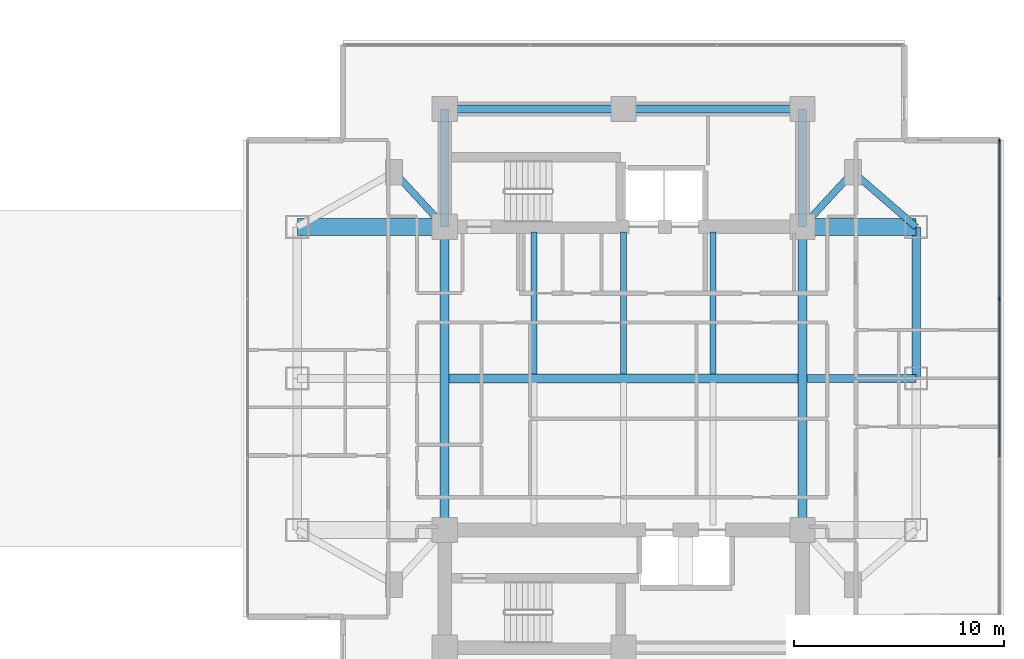
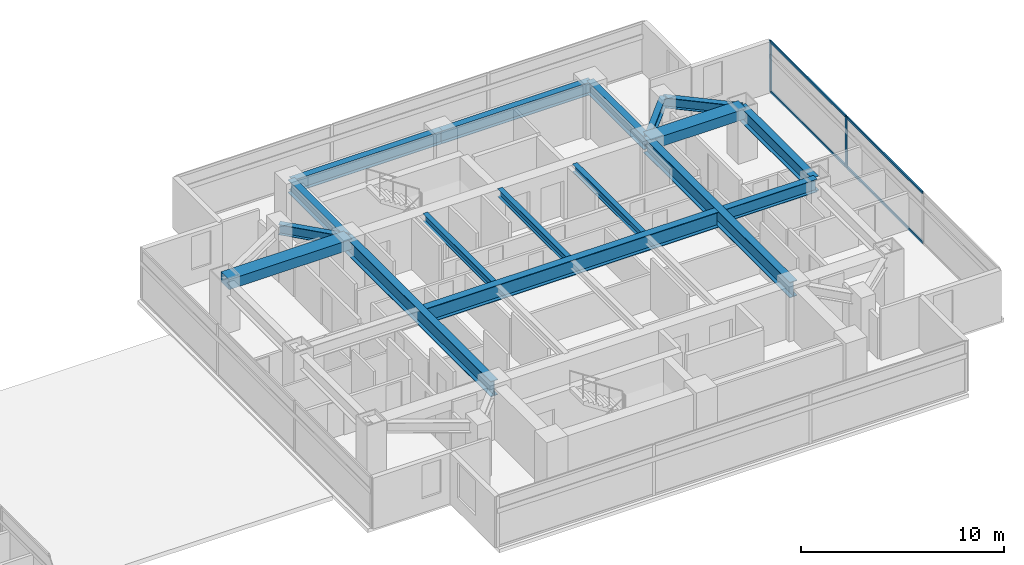
# One storey, part 10 of 26: 17 beams, 6 members, 1 element without a shape of its own.
"""IFC4 building model written with IfcOpenShell, lengths in metres."""

from ifc_helpers import new_model, si_unit, direction, frame, origin, origin_2d, place, context, subcontext, project, spatial, rectangle, i_section, extrude, material, material_profile, profile_set, type_object, element, aggregate, save


model = new_model("IFC4")

# Units and contexts
model_context = context("Model", 3, precision=1e-05, world=origin(), true_north=direction((0.0, 1.0)))
body_context = subcontext(model_context, "Body", "Model", "MODEL_VIEW")
ifc_project = project(units=[si_unit("LENGTHUNIT", "METRE"), si_unit("AREAUNIT", "SQUARE_METRE"), si_unit("VOLUMEUNIT", "CUBIC_METRE"), si_unit("PLANEANGLEUNIT", "RADIAN"), si_unit("MASSUNIT", "GRAM", prefix="KILO")], contexts=[model_context])

# Site, building, storey
site_placement = place(None, origin())
site = spatial("IfcSite", under=ifc_project, at=site_placement, CompositionType="ELEMENT")
building_placement = place(site_placement, origin())
building = spatial("IfcBuilding", under=site, at=building_placement, Name="Mirazonda Arch Towers", CompositionType="ELEMENT")
storey_placement = place(building_placement, frame((0.0, 0.0, 98.300048828125)))
storey = spatial("IfcBuildingStorey", under=building, at=storey_placement, Name="L27", CompositionType="ELEMENT", Elevation=98.300048828125)

# Beams
ifc_material_1 = material(Name="Steel ASTM A992 Grade 50", Category="steel")
ifc_material_profile_1 = material_profile(ifc_material_1, i_section(OverallWidth=0.39990234375, OverallDepth=0.85595703125, WebThickness=0.018310546875, FlangeThickness=0.029296875, at=origin_2d()), Name="W33X201")
ifc_profile_set_1 = profile_set([ifc_material_profile_1], Name="Steel ASTM A992 Grade 50")
beam_type_1 = type_object("IfcBeamType", Name="BM-EXT-W33X201", PredefinedType="USERDEFINED", material=ifc_profile_set_1)
beam_1_placement = place(storey_placement, frame((90.39990234375, 28.0, 2.65185546875), z_axis=(0.0, 1.0, 0.0), x_axis=(-1.0, 0.0, 0.0)))
element("IfcBeam", 1, at=beam_1_placement, inside=storey, type_object=beam_type_1, Name="L27 Floor Beam BM-T2-L27-NS-E-28", ObjectType="GIRDER", PredefinedType="USERDEFINED", context=body_context, shape_type="SweptSolid", body=[
    extrude(i_section(OverallWidth=0.39990234375, OverallDepth=0.85595703125, WebThickness=0.018310546875, FlangeThickness=0.029296875, at=origin_2d()), origin(), (0.0, 0.0, 1.0), 7.199951171875),
])
ifc_material_profile_2 = material_profile(ifc_material_1, i_section(OverallWidth=0.280029296875, OverallDepth=0.462890625, WebThickness=0.0107421875, FlangeThickness=0.017333984375, at=origin_2d()), Name="W18X76")
ifc_profile_set_2 = profile_set([ifc_material_profile_2], Name="Steel ASTM A992 Grade 50")
beam_type_2 = type_object("IfcBeamType", Name="BM-INT-W18X76", PredefinedType="JOIST", material=ifc_profile_set_2)
for number, where, z_axis, x_axis, name in (
    (2, (72.25, 28.205078125, 2.848388671875), (0.0, 1.0, 0.0), (-1.0, 0.0, 0.0), "L27 Floor Beam BM-T2-L27-J-722-28"),
    (3, (76.5, 28.205078125, 2.848388671875), (0.0, 1.0, 0.0), (-1.0, 0.0, 0.0), "L27 Floor Beam BM-T2-L27-J-765-28"),
    (4, (80.75, 28.205078125, 2.848388671875), (0.0, 1.0, 0.0), (-1.0, 0.0, 0.0), "L27 Floor Beam BM-T2-L27-J-807-28"),
):
    element("IfcBeam", number, at=place(storey_placement, frame(where, z_axis=z_axis, x_axis=x_axis)), inside=storey, type_object=beam_type_2, Name=name, PredefinedType="JOIST", context=body_context, shape_type="SweptSolid", body=[
        extrude(i_section(OverallWidth=0.280029296875, OverallDepth=0.462890625, WebThickness=0.0107421875, FlangeThickness=0.017333984375, at=origin_2d()), origin(), (0.0, 0.0, 1.0), 6.7548828125),
    ])
ifc_material_profile_3 = material_profile(ifc_material_1, i_section(OverallWidth=0.324951171875, OverallDepth=0.615966796875, WebThickness=0.013916015625, FlangeThickness=0.021484375, at=origin_2d()), Name="W24X117")
ifc_profile_set_3 = profile_set([ifc_material_profile_3], Name="Steel ASTM A992 Grade 50")
beam_type_3 = type_object("IfcBeamType", Name="BM-INT-W24X117", PredefinedType="BEAM", material=ifc_profile_set_3)
for number, where, z_axis, x_axis, name in (
    (5, (65.60009765625, 37.800048828125, 2.77197265625), (0.678251444854, -0.734829897019, 0.0), (0.734829897019, 0.678251444854, 0.0), "L27 Floor Beam BM-T2-L27-PL-NW1"),
    (6, (87.39990234375, 37.800048828125, 2.77197265625), (-0.678251444854, -0.734829897019, 0.0), (0.734829897019, -0.678251444854, 0.0), "L27 Floor Beam BM-T2-L27-PL-NE1"),
):
    element("IfcBeam", number, at=place(storey_placement, frame(where, z_axis=z_axis, x_axis=x_axis)), inside=storey, type_object=beam_type_3, Name=name, PredefinedType="BEAM", context=body_context, shape_type="SweptSolid", body=[
        extrude(i_section(OverallWidth=0.324951171875, OverallDepth=0.615966796875, WebThickness=0.013916015625, FlangeThickness=0.021484375, at=origin_2d()), origin(), (0.0, 0.0, 1.0), 3.538330078125),
    ])
beam_2_placement = place(storey_placement, frame((87.39990234375, 37.800048828125, 2.77197265625), z_axis=(0.755676908098, -0.654944585876, 0.0), x_axis=(0.654944585876, 0.755676908098, 0.0)))
element("IfcBeam", 7, at=beam_2_placement, inside=storey, type_object=beam_type_3, Name="L27 Floor Beam BM-T2-L27-PL-NE2", PredefinedType="BEAM", context=body_context, shape_type="SweptSolid", body=[
    extrude(i_section(OverallWidth=0.324951171875, OverallDepth=0.615966796875, WebThickness=0.013916015625, FlangeThickness=0.021484375, at=origin_2d()), origin(), (0.0, 0.0, 1.0), 3.969970703125),
])
ifc_material_profile_4 = material_profile(ifc_material_1, i_section(OverallWidth=0.381103515625, OverallDepth=0.77294921875, WebThickness=0.0166015625, FlangeThickness=0.027099609375, at=origin_2d()), Name="W30X173")
ifc_profile_set_4 = profile_set([ifc_material_profile_4], Name="Steel ASTM A992 Grade 50")
beam_type_4 = type_object("IfcBeamType", Name="BM-INT-W30X173", PredefinedType="USERDEFINED", material=ifc_profile_set_4)
for number, where, z_axis, x_axis, name in (
    (8, (68.0, 40.800048828125, 2.693359375), (1.0, 0.0, 0.0), (0.0, 1.0, 0.0), "L27 Floor Beam BM-T2-L27-CN1"),
    (9, (76.5, 40.800048828125, 2.693359375), (1.0, 0.0, 0.0), (0.0, 1.0, 0.0), "L27 Floor Beam BM-T2-L27-CN2"),
):
    element("IfcBeam", number, at=place(storey_placement, frame(where, z_axis=z_axis, x_axis=x_axis)), inside=storey, type_object=beam_type_4, Name=name, ObjectType="GIRDER", PredefinedType="USERDEFINED", context=body_context, shape_type="SweptSolid", body=[
        extrude(i_section(OverallWidth=0.381103515625, OverallDepth=0.77294921875, WebThickness=0.0166015625, FlangeThickness=0.027099609375, at=origin_2d()), origin(), (0.0, 0.0, 1.0), 8.5),
    ])
for number, where, z_axis, x_axis, name in (
    (10, (68.0, 35.199951171875, 2.693359375), (0.0, 1.0, 0.0), (-1.0, 0.0, 0.0), "L27 Floor Beam BM-T2-L27-CNW"),
    (11, (85.0, 35.199951171875, 2.693359375), (0.0, 1.0, 0.0), (-1.0, 0.0, 0.0), "L27 Floor Beam BM-T2-L27-CNE"),
):
    element("IfcBeam", number, at=place(storey_placement, frame(where, z_axis=z_axis, x_axis=x_axis)), inside=storey, type_object=beam_type_4, Name=name, ObjectType="GIRDER", PredefinedType="USERDEFINED", context=body_context, shape_type="SweptSolid", body=[
        extrude(i_section(OverallWidth=0.381103515625, OverallDepth=0.77294921875, WebThickness=0.0166015625, FlangeThickness=0.027099609375, at=origin_2d()), origin(), (0.0, 0.0, 1.0), 5.60009765625),
    ])
beam_3_placement = place(storey_placement, frame((85.208984375, 28.0, 2.693359375), z_axis=(1.0, 0.0, 0.0), x_axis=(0.0, 1.0, 0.0)))
element("IfcBeam", 12, at=beam_3_placement, inside=storey, type_object=beam_type_4, Name="L27 Floor Beam BM-T2-L27-GE2", ObjectType="GIRDER", PredefinedType="USERDEFINED", context=body_context, shape_type="SweptSolid", body=[
    extrude(i_section(OverallWidth=0.381103515625, OverallDepth=0.77294921875, WebThickness=0.0166015625, FlangeThickness=0.027099609375, at=origin_2d()), origin(), (0.0, 0.0, 1.0), 5.19091796875),
])
ifc_material_profile_5 = material_profile(ifc_material_1, i_section(OverallWidth=0.41796875, OverallDepth=0.927001953125, WebThickness=0.019287109375, FlangeThickness=0.031982421875, at=origin_2d()), Name="W36X231")
ifc_profile_set_5 = profile_set([ifc_material_profile_5], Name="Steel ASTM A992 Grade 50")
beam_type_5 = type_object("IfcBeamType", Name="BM-INT-W36X231", PredefinedType="USERDEFINED", material=ifc_profile_set_5)
beam_4_placement = place(storey_placement, frame((68.208984375, 28.0, 2.616455078125), z_axis=(1.0, 0.0, 0.0), x_axis=(0.0, 1.0, 0.0)))
element("IfcBeam", 13, at=beam_4_placement, inside=storey, type_object=beam_type_5, Name="L27 Floor Beam BM-T2-L27-GC2", ObjectType="GIRDER", PredefinedType="USERDEFINED", context=body_context, shape_type="SweptSolid", body=[
    extrude(i_section(OverallWidth=0.41796875, OverallDepth=0.927001953125, WebThickness=0.019287109375, FlangeThickness=0.031982421875, at=origin_2d()), origin(), (0.0, 0.0, 1.0), 16.58203125),
])
for number, where, z_axis, x_axis, name in (
    (14, (68.0, 20.800048828125, 2.616455078125), (0.0, 1.0, 0.0), (-1.0, 0.0, 0.0), "L27 Floor Beam BM-T2-L27-NS-CW-FULL"),
    (15, (85.0, 20.800048828125, 2.616455078125), (0.0, 1.0, 0.0), (-1.0, 0.0, 0.0), "L27 Floor Beam BM-T2-L27-NS-CE-FULL"),
):
    element("IfcBeam", number, at=place(storey_placement, frame(where, z_axis=z_axis, x_axis=x_axis)), inside=storey, type_object=beam_type_5, Name=name, ObjectType="GIRDER", PredefinedType="USERDEFINED", context=body_context, shape_type="SweptSolid", body=[
        extrude(i_section(OverallWidth=0.41796875, OverallDepth=0.927001953125, WebThickness=0.019287109375, FlangeThickness=0.031982421875, at=origin_2d()), origin(), (0.0, 0.0, 1.0), 14.39990234375),
    ])
ifc_material_2 = material(Name="Concrete C60/75", Category="concrete")
ifc_material_profile_6 = material_profile(ifc_material_2, rectangle(XDim=0.800048828125, YDim=0.60009765625, at=origin_2d()), Name="RCCB800x600")
ifc_profile_set_6 = profile_set([ifc_material_profile_6], Name="Concrete C60/75")
beam_type_6 = type_object("IfcBeamType", Name="CB-INT-RCCB800x600", PredefinedType="SPANDREL", material=ifc_profile_set_6)
beam_5_placement = place(storey_placement, frame((61.0, 35.199951171875, 2.780029296875), z_axis=(1.0, 0.0, 0.0), x_axis=(0.0, 1.0, 0.0)))
element("IfcBeam", 16, at=beam_5_placement, inside=storey, type_object=beam_type_6, Name="L27 Floor Beam CBC-T2-L27-NW", PredefinedType="SPANDREL", context=body_context, shape_type="SweptSolid", body=[
    extrude(rectangle(XDim=0.800048828125, YDim=0.60009765625, at=origin_2d()), origin(), (0.0, 0.0, 1.0), 7.0),
])
beam_6_placement = place(storey_placement, frame((85.0, 35.199951171875, 2.780029296875), z_axis=(1.0, 0.0, 0.0), x_axis=(0.0, 1.0, 0.0)))
element("IfcBeam", 17, at=beam_6_placement, inside=storey, type_object=beam_type_6, Name="L27 Floor Beam CBC-T2-L27-NE", PredefinedType="SPANDREL", context=body_context, shape_type="SweptSolid", body=[
    extrude(rectangle(XDim=0.800048828125, YDim=0.60009765625, at=origin_2d()), origin(), (0.0, 0.0, 1.0), 5.39990234375),
])

# Curtain wall, members
ifc_material_3 = material(Name="Anodised Aluminium and Low-E Glass", Category="aluminium")
curtain_wall_type = type_object("IfcCurtainWallType", Name="CW-HTL-UNIT", PredefinedType="NOTDEFINED", material=ifc_material_3)
curtain_wall_placement = place(storey_placement, origin())
curtain_wall = element("IfcCurtainWall", 18, at=curtain_wall_placement, inside=storey, type_object=curtain_wall_type, Name="L27 T2 E Facade CW-L27-T2-E", PredefinedType="NOTDEFINED")
ifc_material_4 = material(Name="Anodised Aluminium Alloy", Category="aluminium")
ifc_material_profile_7 = material_profile(ifc_material_4, rectangle(XDim=0.074951171875, YDim=0.1650390625, at=origin_2d()), Name="ALU-MULL-75x165")
ifc_profile_set_7 = profile_set([ifc_material_profile_7], Name="Anodised Aluminium Alloy")
member_type_1 = type_object("IfcMemberType", Name="MULL-CW-HTL-UNIT", PredefinedType="MULLION", material=ifc_profile_set_7)
member_1_placement = place(storey_placement, frame((94.3564453125, 31.777099609375, 0.0), z_axis=(0.0, 0.0, 1.0), x_axis=(-1.0, 0.0, 0.0)))
member_1 = element("IfcMember", 19, at=member_1_placement, type_object=member_type_1, Name="CW-112 mullion 3", PredefinedType="MULLION", context=body_context, shape_type="SweptSolid", body=[
    extrude(rectangle(XDim=0.074951171875, YDim=0.1650390625, at=origin_2d()), origin(), (0.0, 0.0, 1.0), 3.06005859375),
])
member_2_placement = place(storey_placement, frame((94.3564453125, 39.293701171875, 0.0), z_axis=(0.0, 0.0, 1.0), x_axis=(-1.0, 0.0, 0.0)))
member_2 = element("IfcMember", 20, at=member_2_placement, type_object=member_type_1, Name="CW-112 mullion 4", PredefinedType="MULLION", context=body_context, shape_type="SweptSolid", body=[
    extrude(rectangle(XDim=0.074951171875, YDim=0.1650390625, at=origin_2d()), origin(), (0.0, 0.0, 1.0), 3.06005859375),
])
ifc_material_profile_8 = material_profile(ifc_material_4, rectangle(XDim=0.074951171875, YDim=0.14501953125, at=origin_2d()), Name="ALU-TRAN-75x145")
ifc_profile_set_8 = profile_set([ifc_material_profile_8], Name="Anodised Aluminium Alloy")
member_type_2 = type_object("IfcMemberType", Name="TRAN-CW-HTL-UNIT", PredefinedType="USERDEFINED", material=ifc_profile_set_8)
member_3_placement = place(storey_placement, frame((94.3564453125, 24.260498046875, 0.037353515625), z_axis=(0.0, 1.0, 0.0), x_axis=(-1.0, 0.0, 0.0)))
member_3 = element("IfcMember", 21, at=member_3_placement, type_object=member_type_2, Name="CW-112 transom 2.1", ObjectType="TRANSOM", PredefinedType="USERDEFINED", context=body_context, shape_type="SweptSolid", body=[
    extrude(rectangle(XDim=0.074951171875, YDim=0.14501953125, at=origin_2d()), origin(), (0.0, 0.0, 1.0), 7.47900390625),
])
member_4_placement = place(storey_placement, frame((94.3564453125, 24.260498046875, 3.0224609375), z_axis=(0.0, 1.0, 0.0), x_axis=(-1.0, 0.0, 0.0)))
member_4 = element("IfcMember", 22, at=member_4_placement, type_object=member_type_2, Name="CW-112 transom 2.2", ObjectType="TRANSOM", PredefinedType="USERDEFINED", context=body_context, shape_type="SweptSolid", body=[
    extrude(rectangle(XDim=0.074951171875, YDim=0.14501953125, at=origin_2d()), origin(), (0.0, 0.0, 1.0), 7.47900390625),
])
member_5_placement = place(storey_placement, frame((94.3564453125, 31.814453125, 0.037353515625), z_axis=(0.0, 1.0, 0.0), x_axis=(-1.0, 0.0, 0.0)))
member_5 = element("IfcMember", 23, at=member_5_placement, type_object=member_type_2, Name="CW-112 transom 3.1", ObjectType="TRANSOM", PredefinedType="USERDEFINED", context=body_context, shape_type="SweptSolid", body=[
    extrude(rectangle(XDim=0.074951171875, YDim=0.14501953125, at=origin_2d()), origin(), (0.0, 0.0, 1.0), 7.441650390625),
])
member_6_placement = place(storey_placement, frame((94.3564453125, 31.814453125, 3.0224609375), z_axis=(0.0, 1.0, 0.0), x_axis=(-1.0, 0.0, 0.0)))
member_6 = element("IfcMember", 24, at=member_6_placement, type_object=member_type_2, Name="CW-112 transom 3.2", ObjectType="TRANSOM", PredefinedType="USERDEFINED", context=body_context, shape_type="SweptSolid", body=[
    extrude(rectangle(XDim=0.074951171875, YDim=0.14501953125, at=origin_2d()), origin(), (0.0, 0.0, 1.0), 7.441650390625),
])
aggregate(curtain_wall, [member_1, member_2, member_3, member_4, member_5, member_6])

save(model, "model.ifc")
